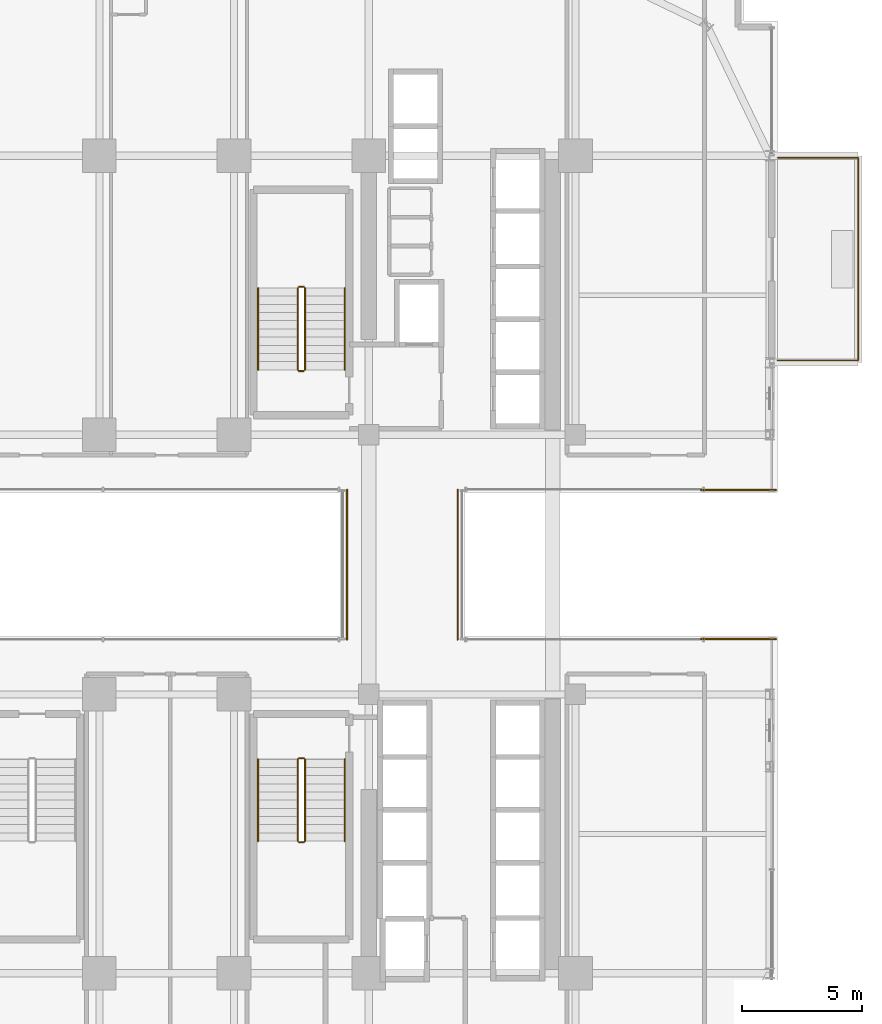
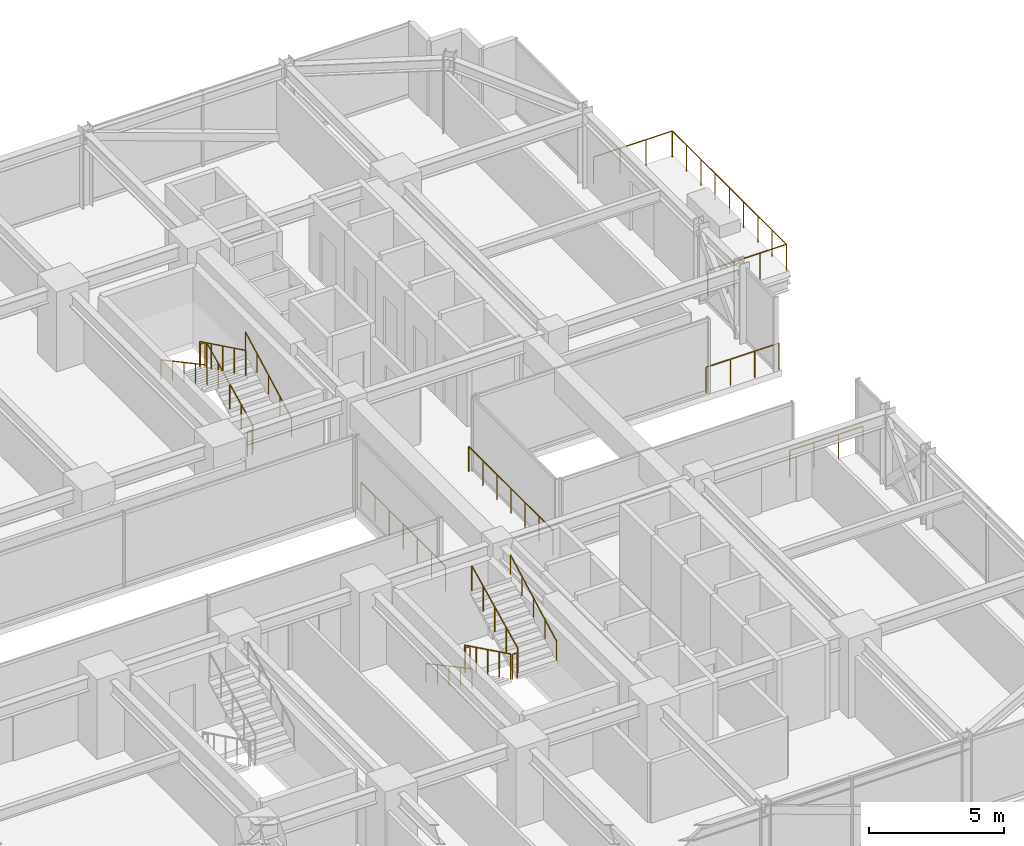
# One storey, part 34 of 35: 17 railings.
"""IFC4 building model written with IfcOpenShell, lengths in metres."""

from ifc_helpers import new_model, si_unit, direction, frame, origin, origin_2d, place, context, subcontext, project, spatial, circle, extrude, material, type_object, element, save


model = new_model("IFC4")

# Units and contexts
model_context = context("Model", 3, precision=1e-05, world=origin(), true_north=direction((0.0, 1.0)))
body_context = subcontext(model_context, "Body", "Model", "MODEL_VIEW")
ifc_project = project(units=[si_unit("LENGTHUNIT", "METRE"), si_unit("AREAUNIT", "SQUARE_METRE"), si_unit("VOLUMEUNIT", "CUBIC_METRE"), si_unit("PLANEANGLEUNIT", "RADIAN"), si_unit("MASSUNIT", "GRAM", prefix="KILO")], contexts=[model_context])

# Site, building, storey
site_placement = place(None, origin())
site = spatial("IfcSite", under=ifc_project, at=site_placement, CompositionType="ELEMENT")
building_placement = place(site_placement, origin())
building = spatial("IfcBuilding", under=site, at=building_placement, Name="Nahalor Promenade Grand Hotel", CompositionType="ELEMENT")
storey_placement = place(building_placement, frame((0.0, 0.0, 43.35009765625)))
storey = spatial("IfcBuildingStorey", under=building, at=storey_placement, Name="L09", CompositionType="ELEMENT", Elevation=43.35009765625)

# Railings
ifc_material_1 = material(Name="Anodised Bronze Aluminium EN AW-6063 T6", Category="aluminium")
railing_type_1 = type_object("IfcRailingType", Name="Bronze Balcony Guardrail 1200 mm", PredefinedType="GUARDRAIL", material=ifc_material_1)
for number, where, name in (
    (1, (22.219970703125, -3.09912109375, 0.0), "L09 Oculus Void Edge Guardrail ES"),
    (2, (22.219970703125, 3.09912109375, 0.0), "L09 Oculus Void Edge Guardrail EN"),
):
    element("IfcRailing", number, at=place(storey_placement, frame(where)), inside=storey, type_object=railing_type_1, Name=name, PredefinedType="GUARDRAIL", context=body_context, shape_type="SweptSolid", body=[
        extrude(circle(Radius=0.024048, at=origin_2d()), frame((0.0, 0.0, 1.17578125), z_axis=(1.0, 0.0, 0.0), x_axis=(0.0, 1.0, 0.0)), (0.0, 0.0, 1.0), 3.1201171875),
        extrude(circle(Radius=0.020996, at=origin_2d()), origin(), (0.0, 0.0, 1.0), 1.14990234375),
        extrude(circle(Radius=0.020996, at=origin_2d()), frame((1.0400390625, 0.0, 0.0)), (0.0, 0.0, 1.0), 1.14990234375),
        extrude(circle(Radius=0.020996, at=origin_2d()), frame((2.080078125, 0.0, 0.0)), (0.0, 0.0, 1.0), 1.14990234375),
        extrude(circle(Radius=0.020996, at=origin_2d()), frame((3.1201171875, 0.0, 0.0)), (0.0, 0.0, 1.0), 1.14990234375),
    ])
railing_1_placement = place(storey_placement, frame((25.39990234375, 8.47998046875, 0.0)))
element("IfcRailing", 3, at=railing_1_placement, inside=storey, type_object=railing_type_1, Name="L09 Balcony Guardrail 2", PredefinedType="GUARDRAIL", context=body_context, shape_type="SweptSolid", body=[
    extrude(circle(Radius=0.024048, at=origin_2d()), frame((0.0, 0.0, 1.17578125), z_axis=(1.0, 0.0, 0.0), x_axis=(0.0, 1.0, 0.0)), (0.0, 0.0, 1.0), 3.358154296875),
    extrude(circle(Radius=0.024048, at=origin_2d()), frame((3.360107421875, 0.001953125, 1.17578125), z_axis=(0.0, 1.0, 0.0), x_axis=(-1.0, 0.0, 0.0)), (0.0, 0.0, 1.0), 8.43603515625),
    extrude(circle(Radius=0.024048, at=origin_2d()), frame((3.358154296875, 8.43994140625, 1.17578125), z_axis=(-1.0, 0.0, 0.0), x_axis=(0.0, -1.0, 0.0)), (0.0, 0.0, 1.0), 3.358154296875),
    extrude(circle(Radius=0.020996, at=origin_2d()), origin(), (0.0, 0.0, 1.0), 1.14990234375),
    extrude(circle(Radius=0.020996, at=origin_2d()), frame((1.1201171875, 0.0, 0.0)), (0.0, 0.0, 1.0), 1.14990234375),
    extrude(circle(Radius=0.020996, at=origin_2d()), frame((2.239990234375, 0.0, 0.0)), (0.0, 0.0, 1.0), 1.14990234375),
    extrude(circle(Radius=0.020996, at=origin_2d()), frame((3.360107421875, 0.0, 0.0)), (0.0, 0.0, 1.0), 1.14990234375),
    extrude(circle(Radius=0.020996, at=origin_2d()), frame((3.360107421875, 1.054931640625, 0.0)), (0.0, 0.0, 1.0), 1.14990234375),
    extrude(circle(Radius=0.020996, at=origin_2d()), frame((3.360107421875, 2.10986328125, 0.0)), (0.0, 0.0, 1.0), 1.14990234375),
    extrude(circle(Radius=0.020996, at=origin_2d()), frame((3.360107421875, 3.1650390625, 0.0)), (0.0, 0.0, 1.0), 1.14990234375),
    extrude(circle(Radius=0.020996, at=origin_2d()), frame((3.360107421875, 4.219970703125, 0.0)), (0.0, 0.0, 1.0), 1.14990234375),
    extrude(circle(Radius=0.020996, at=origin_2d()), frame((3.360107421875, 5.27490234375, 0.0)), (0.0, 0.0, 1.0), 1.14990234375),
    extrude(circle(Radius=0.020996, at=origin_2d()), frame((3.360107421875, 6.330078125, 0.0)), (0.0, 0.0, 1.0), 1.14990234375),
    extrude(circle(Radius=0.020996, at=origin_2d()), frame((3.360107421875, 7.385009765625, 0.0)), (0.0, 0.0, 1.0), 1.14990234375),
    extrude(circle(Radius=0.020996, at=origin_2d()), frame((3.360107421875, 8.43994140625, 0.0)), (0.0, 0.0, 1.0), 1.14990234375),
    extrude(circle(Radius=0.020996, at=origin_2d()), frame((2.239990234375, 8.43994140625, 0.0)), (0.0, 0.0, 1.0), 1.14990234375),
    extrude(circle(Radius=0.020996, at=origin_2d()), frame((1.1201171875, 8.43994140625, 0.0)), (0.0, 0.0, 1.0), 1.14990234375),
    extrude(circle(Radius=0.020996, at=origin_2d()), frame((0.0, 8.43994140625, 0.0)), (0.0, 0.0, 1.0), 1.14990234375),
])
railing_type_2 = type_object("IfcRailingType", Name="Bronze Sky Balustrade 1150 mm", PredefinedType="BALUSTRADE", material=ifc_material_1)
for number, where, name in (
    (4, (7.5, -3.118896484375, 0.0), "BL-L09-BRG-W"),
    (5, (12.10009765625, -3.118896484375, 0.0), "BL-L09-BRG-E"),
):
    element("IfcRailing", number, at=place(storey_placement, frame(where)), inside=storey, type_object=railing_type_2, Name=name, PredefinedType="BALUSTRADE", context=body_context, shape_type="SweptSolid", body=[
        extrude(circle(Radius=0.024048, at=origin_2d()), frame((0.0, 0.0, 1.1259765625), z_axis=(0.0, 1.0, 0.0), x_axis=(-1.0, 0.0, 0.0)), (0.0, 0.0, 1.0), 6.23779296875),
        extrude(circle(Radius=0.020996, at=origin_2d()), origin(), (0.0, 0.0, 1.0), 1.099853515625),
        extrude(circle(Radius=0.020996, at=origin_2d()), frame((0.0, 1.03955078125, 0.0)), (0.0, 0.0, 1.0), 1.099853515625),
        extrude(circle(Radius=0.020996, at=origin_2d()), frame((0.0, 2.079345703125, 0.0)), (0.0, 0.0, 1.0), 1.099853515625),
        extrude(circle(Radius=0.020996, at=origin_2d()), frame((0.0, 3.118896484375, 0.0)), (0.0, 0.0, 1.0), 1.099853515625),
        extrude(circle(Radius=0.020996, at=origin_2d()), frame((0.0, 4.158447265625, 0.0)), (0.0, 0.0, 1.0), 1.099853515625),
        extrude(circle(Radius=0.020996, at=origin_2d()), frame((0.0, 5.1982421875, 0.0)), (0.0, 0.0, 1.0), 1.099853515625),
        extrude(circle(Radius=0.020996, at=origin_2d()), frame((0.0, 6.23779296875, 0.0)), (0.0, 0.0, 1.0), 1.099853515625),
    ])
ifc_material_2 = material(Name="Steel S355JR", Category="steel")
railing_type_3 = type_object("IfcRailingType", Name="Steel Stair Guardrail 1150 mm", PredefinedType="GUARDRAIL", material=ifc_material_2)
railing_2_placement = place(storey_placement, frame((5.75, 8.10009765625, 0.165771484375)))
element("IfcRailing", 6, at=railing_2_placement, inside=storey, type_object=railing_type_3, Name="L09 ST1 stair guard 1", PredefinedType="GUARDRAIL", context=body_context, shape_type="SweptSolid", body=[
    extrude(circle(Radius=0.024048, at=origin_2d()), frame((0.0, 0.0, 1.1259765625), z_axis=(0.0, 0.898696488221, 0.438571114028), x_axis=(-1.0, 0.0, 0.0)), (0.0, 0.0, 1.0), 3.783203125),
    extrude(circle(Radius=0.020996, at=origin_2d()), origin(), (0.0, 0.0, 1.0), 1.099853515625),
    extrude(circle(Radius=0.020996, at=origin_2d()), frame((0.0, 0.85009765625, 0.414794921875)), (0.0, 0.0, 1.0), 1.099853515625),
    extrude(circle(Radius=0.020996, at=origin_2d()), frame((0.0, 1.699951171875, 0.82958984375)), (0.0, 0.0, 1.0), 1.099853515625),
    extrude(circle(Radius=0.020996, at=origin_2d()), frame((0.0, 2.5498046875, 1.244384765625)), (0.0, 0.0, 1.0), 1.099853515625),
    extrude(circle(Radius=0.020996, at=origin_2d()), frame((0.0, 3.39990234375, 1.6591796875)), (0.0, 0.0, 1.0), 1.099853515625),
])
railing_3_placement = place(storey_placement, frame((5.699951171875, 11.550048828125, 1.824951171875)))
element("IfcRailing", 7, at=railing_3_placement, inside=storey, type_object=railing_type_3, Name="L09 ST1 stair guard 2", PredefinedType="GUARDRAIL", context=body_context, shape_type="SweptSolid", body=[
    extrude(circle(Radius=0.024048, at=origin_2d()), frame((0.0, 0.0, 1.1259765625), z_axis=(-1.0, 0.0, 0.0), x_axis=(0.0, -1.0, 0.0)), (0.0, 0.0, 1.0), 0.199951171875),
    extrude(circle(Radius=0.020996, at=origin_2d()), origin(), (0.0, 0.0, 1.0), 1.099853515625),
    extrude(circle(Radius=0.020996, at=origin_2d()), frame((-0.199951171875, 0.0, 0.0)), (0.0, 0.0, 1.0), 1.099853515625),
])
railing_4_placement = place(storey_placement, frame((5.449951171875, 11.5, 1.99072265625)))
element("IfcRailing", 8, at=railing_4_placement, inside=storey, type_object=railing_type_3, Name="L09 ST1 stair guard 3", PredefinedType="GUARDRAIL", context=body_context, shape_type="SweptSolid", body=[
    extrude(circle(Radius=0.024048, at=origin_2d()), frame((0.0, 0.0, 1.1259765625), z_axis=(0.0, -0.898696488221, 0.438571114028), x_axis=(1.0, 0.0, 0.0)), (0.0, 0.0, 1.0), 3.783203125),
    extrude(circle(Radius=0.020996, at=origin_2d()), origin(), (0.0, 0.0, 1.0), 1.099853515625),
    extrude(circle(Radius=0.020996, at=origin_2d()), frame((0.0, -0.85009765625, 0.414794921875)), (0.0, 0.0, 1.0), 1.099853515625),
    extrude(circle(Radius=0.020996, at=origin_2d()), frame((0.0, -1.699951171875, 0.82958984375)), (0.0, 0.0, 1.0), 1.099853515625),
    extrude(circle(Radius=0.020996, at=origin_2d()), frame((0.0, -2.5498046875, 1.244384765625)), (0.0, 0.0, 1.0), 1.099853515625),
    extrude(circle(Radius=0.020996, at=origin_2d()), frame((0.0, -3.39990234375, 1.6591796875)), (0.0, 0.0, 1.0), 1.099853515625),
])
railing_5_placement = place(storey_placement, frame((5.699951171875, 8.050048828125, 0.0)))
element("IfcRailing", 9, at=railing_5_placement, inside=storey, type_object=railing_type_3, Name="L09 ST1 stair guard 4", PredefinedType="GUARDRAIL", context=body_context, shape_type="SweptSolid", body=[
    extrude(circle(Radius=0.024048, at=origin_2d()), frame((0.0, 0.0, 1.1259765625), z_axis=(-1.0, 0.0, 0.0), x_axis=(0.0, -1.0, 0.0)), (0.0, 0.0, 1.0), 0.199951171875),
    extrude(circle(Radius=0.020996, at=origin_2d()), origin(), (0.0, 0.0, 1.0), 1.099853515625),
    extrude(circle(Radius=0.020996, at=origin_2d()), frame((-0.199951171875, 0.0, 0.0)), (0.0, 0.0, 1.0), 1.099853515625),
])
railing_6_placement = place(storey_placement, frame((5.449951171875, -8.10009765625, 0.165771484375)))
element("IfcRailing", 10, at=railing_6_placement, inside=storey, type_object=railing_type_3, Name="L09 ST2 stair guard 1", PredefinedType="GUARDRAIL", context=body_context, shape_type="SweptSolid", body=[
    extrude(circle(Radius=0.024048, at=origin_2d()), frame((0.0, 0.0, 1.1259765625), z_axis=(0.0, -0.898696488221, 0.438571114028), x_axis=(1.0, 0.0, 0.0)), (0.0, 0.0, 1.0), 3.783203125),
    extrude(circle(Radius=0.020996, at=origin_2d()), origin(), (0.0, 0.0, 1.0), 1.099853515625),
    extrude(circle(Radius=0.020996, at=origin_2d()), frame((0.0, -0.85009765625, 0.414794921875)), (0.0, 0.0, 1.0), 1.099853515625),
    extrude(circle(Radius=0.020996, at=origin_2d()), frame((0.0, -1.699951171875, 0.82958984375)), (0.0, 0.0, 1.0), 1.099853515625),
    extrude(circle(Radius=0.020996, at=origin_2d()), frame((0.0, -2.5498046875, 1.244384765625)), (0.0, 0.0, 1.0), 1.099853515625),
    extrude(circle(Radius=0.020996, at=origin_2d()), frame((0.0, -3.39990234375, 1.6591796875)), (0.0, 0.0, 1.0), 1.099853515625),
])
railing_7_placement = place(storey_placement, frame((5.5, -11.550048828125, 1.824951171875)))
element("IfcRailing", 11, at=railing_7_placement, inside=storey, type_object=railing_type_3, Name="L09 ST2 stair guard 2", PredefinedType="GUARDRAIL", context=body_context, shape_type="SweptSolid", body=[
    extrude(circle(Radius=0.024048, at=origin_2d()), frame((0.0, 0.0, 1.1259765625), z_axis=(1.0, 0.0, 0.0), x_axis=(0.0, 1.0, 0.0)), (0.0, 0.0, 1.0), 0.199951171875),
    extrude(circle(Radius=0.020996, at=origin_2d()), origin(), (0.0, 0.0, 1.0), 1.099853515625),
    extrude(circle(Radius=0.020996, at=origin_2d()), frame((0.199951171875, 0.0, 0.0)), (0.0, 0.0, 1.0), 1.099853515625),
])
railing_8_placement = place(storey_placement, frame((5.75, -11.5, 1.99072265625)))
element("IfcRailing", 12, at=railing_8_placement, inside=storey, type_object=railing_type_3, Name="L09 ST2 stair guard 3", PredefinedType="GUARDRAIL", context=body_context, shape_type="SweptSolid", body=[
    extrude(circle(Radius=0.024048, at=origin_2d()), frame((0.0, 0.0, 1.1259765625), z_axis=(0.0, 0.898696488221, 0.438571114028), x_axis=(-1.0, 0.0, 0.0)), (0.0, 0.0, 1.0), 3.783203125),
    extrude(circle(Radius=0.020996, at=origin_2d()), origin(), (0.0, 0.0, 1.0), 1.099853515625),
    extrude(circle(Radius=0.020996, at=origin_2d()), frame((0.0, 0.85009765625, 0.414794921875)), (0.0, 0.0, 1.0), 1.099853515625),
    extrude(circle(Radius=0.020996, at=origin_2d()), frame((0.0, 1.699951171875, 0.82958984375)), (0.0, 0.0, 1.0), 1.099853515625),
    extrude(circle(Radius=0.020996, at=origin_2d()), frame((0.0, 2.5498046875, 1.244384765625)), (0.0, 0.0, 1.0), 1.099853515625),
    extrude(circle(Radius=0.020996, at=origin_2d()), frame((0.0, 3.39990234375, 1.6591796875)), (0.0, 0.0, 1.0), 1.099853515625),
])
railing_9_placement = place(storey_placement, frame((5.5, -8.050048828125, 0.0)))
element("IfcRailing", 13, at=railing_9_placement, inside=storey, type_object=railing_type_3, Name="L09 ST2 stair guard 4", PredefinedType="GUARDRAIL", context=body_context, shape_type="SweptSolid", body=[
    extrude(circle(Radius=0.024048, at=origin_2d()), frame((0.0, 0.0, 1.1259765625), z_axis=(1.0, 0.0, 0.0), x_axis=(0.0, 1.0, 0.0)), (0.0, 0.0, 1.0), 0.199951171875),
    extrude(circle(Radius=0.020996, at=origin_2d()), origin(), (0.0, 0.0, 1.0), 1.099853515625),
    extrude(circle(Radius=0.020996, at=origin_2d()), frame((0.199951171875, 0.0, 0.0)), (0.0, 0.0, 1.0), 1.099853515625),
])
railing_type_4 = type_object("IfcRailingType", Name="Steel Stair Handrail 900 mm", PredefinedType="HANDRAIL", material=ifc_material_2)
railing_10_placement = place(storey_placement, frame((7.39990234375, 8.10009765625, 0.165771484375)))
element("IfcRailing", 14, at=railing_10_placement, inside=storey, type_object=railing_type_4, Name="L09 ST1 stair handrail 1", PredefinedType="HANDRAIL", context=body_context, shape_type="SweptSolid", body=[
    extrude(circle(Radius=0.024048, at=origin_2d()), frame((0.0, 0.0, 0.8759765625), z_axis=(0.0, 0.881094038095, 0.47294111265), x_axis=(-1.0, 0.0, 0.0)), (0.0, 0.0, 1.0), 3.858642578125),
    extrude(circle(Radius=0.020996, at=origin_2d()), origin(), (0.0, 0.0, 1.0), 0.849853515625),
    extrude(circle(Radius=0.020996, at=origin_2d()), frame((0.0, 0.85009765625, 0.456298828125)), (0.0, 0.0, 1.0), 0.849853515625),
    extrude(circle(Radius=0.020996, at=origin_2d()), frame((0.0, 1.699951171875, 0.91259765625)), (0.0, 0.0, 1.0), 0.849853515625),
    extrude(circle(Radius=0.020996, at=origin_2d()), frame((0.0, 2.5498046875, 1.36865234375)), (0.0, 0.0, 1.0), 0.849853515625),
    extrude(circle(Radius=0.020996, at=origin_2d()), frame((0.0, 3.39990234375, 1.824951171875)), (0.0, 0.0, 1.0), 0.849853515625),
])
railing_11_placement = place(storey_placement, frame((3.800048828125, 11.5, 1.99072265625)))
element("IfcRailing", 15, at=railing_11_placement, inside=storey, type_object=railing_type_4, Name="L09 ST1 stair handrail 2", PredefinedType="HANDRAIL", context=body_context, shape_type="SweptSolid", body=[
    extrude(circle(Radius=0.024048, at=origin_2d()), frame((0.0, 0.0, 0.8759765625), z_axis=(0.0, -0.881067672671, 0.472990228413), x_axis=(1.0, 0.0, 0.0)), (0.0, 0.0, 1.0), 3.85888671875),
    extrude(circle(Radius=0.020996, at=origin_2d()), origin(), (0.0, 0.0, 1.0), 0.849853515625),
    extrude(circle(Radius=0.020996, at=origin_2d()), frame((0.0, -0.85009765625, 0.456298828125)), (0.0, 0.0, 1.0), 0.849853515625),
    extrude(circle(Radius=0.020996, at=origin_2d()), frame((0.0, -1.699951171875, 0.91259765625)), (0.0, 0.0, 1.0), 0.849853515625),
    extrude(circle(Radius=0.020996, at=origin_2d()), frame((0.0, -2.5498046875, 1.368896484375)), (0.0, 0.0, 1.0), 0.849853515625),
    extrude(circle(Radius=0.020996, at=origin_2d()), frame((0.0, -3.39990234375, 1.8251953125)), (0.0, 0.0, 1.0), 0.849853515625),
])
railing_12_placement = place(storey_placement, frame((3.800048828125, -8.10009765625, 0.165771484375)))
element("IfcRailing", 16, at=railing_12_placement, inside=storey, type_object=railing_type_4, Name="L09 ST2 stair handrail 1", PredefinedType="HANDRAIL", context=body_context, shape_type="SweptSolid", body=[
    extrude(circle(Radius=0.024048, at=origin_2d()), frame((0.0, 0.0, 0.8759765625), z_axis=(0.0, -0.881094038095, 0.47294111265), x_axis=(1.0, 0.0, 0.0)), (0.0, 0.0, 1.0), 3.858642578125),
    extrude(circle(Radius=0.020996, at=origin_2d()), origin(), (0.0, 0.0, 1.0), 0.849853515625),
    extrude(circle(Radius=0.020996, at=origin_2d()), frame((0.0, -0.85009765625, 0.456298828125)), (0.0, 0.0, 1.0), 0.849853515625),
    extrude(circle(Radius=0.020996, at=origin_2d()), frame((0.0, -1.699951171875, 0.91259765625)), (0.0, 0.0, 1.0), 0.849853515625),
    extrude(circle(Radius=0.020996, at=origin_2d()), frame((0.0, -2.5498046875, 1.36865234375)), (0.0, 0.0, 1.0), 0.849853515625),
    extrude(circle(Radius=0.020996, at=origin_2d()), frame((0.0, -3.39990234375, 1.824951171875)), (0.0, 0.0, 1.0), 0.849853515625),
])
railing_13_placement = place(storey_placement, frame((7.39990234375, -11.5, 1.99072265625)))
element("IfcRailing", 17, at=railing_13_placement, inside=storey, type_object=railing_type_4, Name="L09 ST2 stair handrail 2", PredefinedType="HANDRAIL", context=body_context, shape_type="SweptSolid", body=[
    extrude(circle(Radius=0.024048, at=origin_2d()), frame((0.0, 0.0, 0.8759765625), z_axis=(0.0, 0.881067672671, 0.472990228413), x_axis=(-1.0, 0.0, 0.0)), (0.0, 0.0, 1.0), 3.85888671875),
    extrude(circle(Radius=0.020996, at=origin_2d()), origin(), (0.0, 0.0, 1.0), 0.849853515625),
    extrude(circle(Radius=0.020996, at=origin_2d()), frame((0.0, 0.85009765625, 0.456298828125)), (0.0, 0.0, 1.0), 0.849853515625),
    extrude(circle(Radius=0.020996, at=origin_2d()), frame((0.0, 1.699951171875, 0.91259765625)), (0.0, 0.0, 1.0), 0.849853515625),
    extrude(circle(Radius=0.020996, at=origin_2d()), frame((0.0, 2.5498046875, 1.368896484375)), (0.0, 0.0, 1.0), 0.849853515625),
    extrude(circle(Radius=0.020996, at=origin_2d()), frame((0.0, 3.39990234375, 1.8251953125)), (0.0, 0.0, 1.0), 0.849853515625),
])

save(model, "model.ifc")
